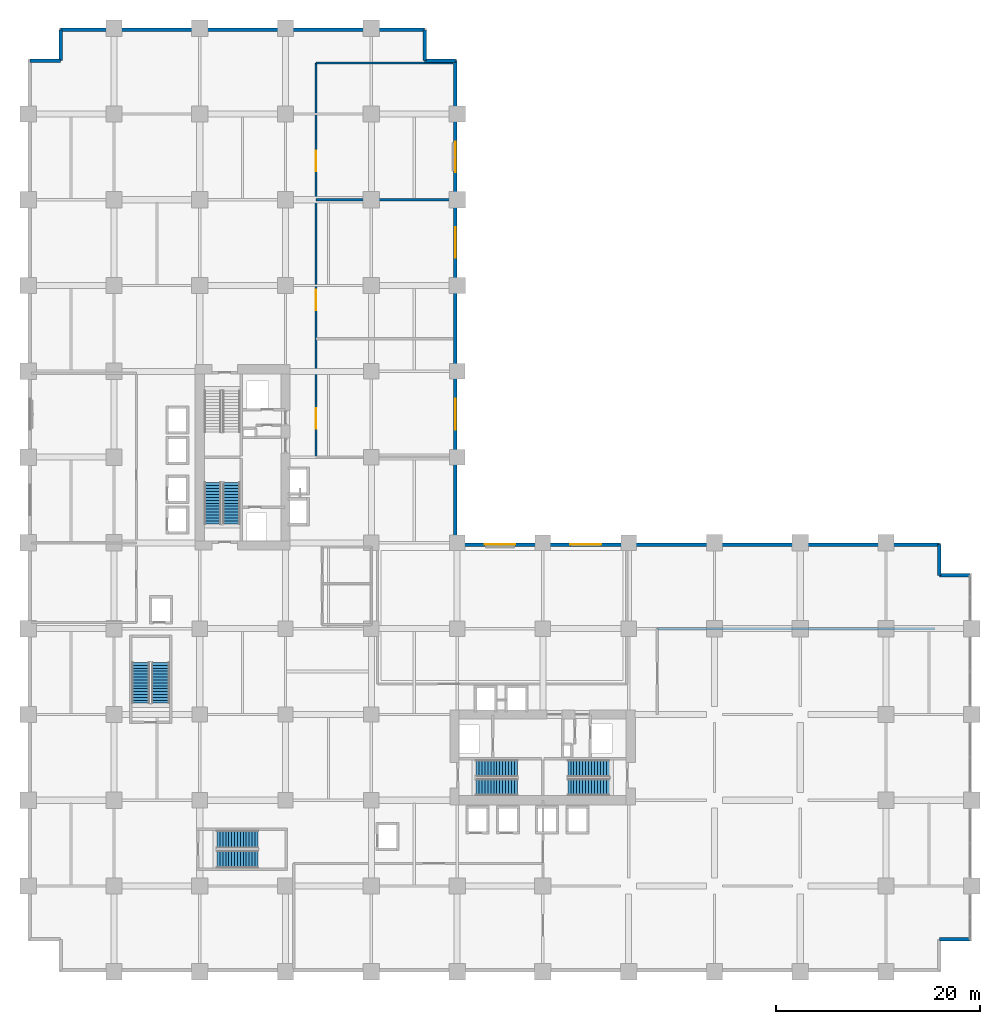
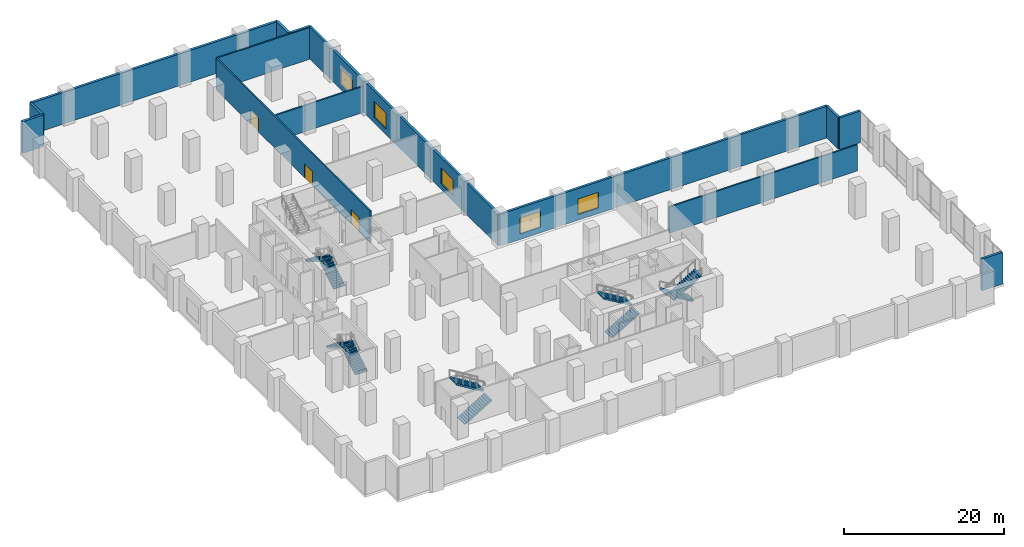
# One storey, part 14 of 19: 14 walls, 10 stair flights, 5 windows, 3 doors, 8 openings, 5 elements without a shape of their own.
"""IFC4 building model written with IfcOpenShell, lengths in metres."""

from ifc_helpers import new_model, si_unit, direction, frame, frame_2d, origin, place, context, subcontext, project, spatial, polyline, rectangle, outline, extrude, material, layer, layer_set, type_object, element, fill, aggregate, save


model = new_model("IFC4")

# Units and contexts
model_context = context("Model", 3, precision=1e-05, world=origin(), true_north=direction((0.0, 1.0)))
body_context = subcontext(model_context, "Body", "Model", "MODEL_VIEW")
ifc_project = project(units=[si_unit("LENGTHUNIT", "METRE"), si_unit("AREAUNIT", "SQUARE_METRE"), si_unit("VOLUMEUNIT", "CUBIC_METRE"), si_unit("PLANEANGLEUNIT", "RADIAN"), si_unit("MASSUNIT", "GRAM", prefix="KILO")], contexts=[model_context])

# Site, building, storey
site_placement = place(None, origin())
site = spatial("IfcSite", under=ifc_project, at=site_placement, CompositionType="ELEMENT")
building_placement = place(site_placement, origin())
building = spatial("IfcBuilding", under=site, at=building_placement, Name="Koriwani Terraces Tower", CompositionType="ELEMENT")
storey_placement = place(building_placement, frame((0.0, 0.0, 15.60009765625)))
storey = spatial("IfcBuildingStorey", under=building, at=storey_placement, Name="L03", CompositionType="ELEMENT", Elevation=15.60009765625)

# Wall, openings, doors
ifc_material_1 = material(Name="Autoclaved Cellular Concrete Blockwork", Category="masonry")
ifc_layer_1 = layer(ifc_material_1, 0.199951171875, Name="Autoclaved Cellular Concrete Blockwork")
ifc_layer_set_1 = layer_set([ifc_layer_1], Name="Autoclaved Cellular Concrete Blockwork")
wall_type_1 = type_object("IfcWallType", Name="WALL_CORRIDOR_200", PredefinedType="PARTITIONING", material=ifc_layer_set_1)
wall_1_placement = place(storey_placement, frame((28.199951171875, 50.39990234375, 0.0), z_axis=(0.0, 0.0, 1.0), x_axis=(0.0, 1.0, 0.0)))
wall_1 = element("IfcWall", 1, at=wall_1_placement, inside=storey, type_object=wall_type_1, Name="L03 Interior Wall WPOD-INW-L03-0", PredefinedType="PARTITIONING", context=body_context, shape_type="SweptSolid", body=[
    extrude(rectangle(XDim=38.60009765625, YDim=0.199951171875, at=frame_2d((19.300048828125, 0.0))), origin(), (0.0, 0.0, 1.0), 4.849853515625),
])
opening_1_placement = place(wall_1_placement, frame((2.800048828125, 0.0, 0.0)))
opening_1 = element("IfcOpeningElement", 2, at=opening_1_placement, cuts=wall_1, Name="Opening D-02", PredefinedType="OPENING", context=body_context, shape_type="SweptSolid", body=[
    extrude(rectangle(XDim=2.0, YDim=2.14990234375, at=frame_2d((1.0, 1.074951171875))), frame((0.0, 0.10986328125, 0.0), z_axis=(0.0, -1.0, 0.0), x_axis=(1.0, 0.0, 0.0)), (0.0, 0.0, 1.0), 0.219970703125),
])
opening_2_placement = place(wall_1_placement, frame((14.39990234375, 0.0, 0.0)))
opening_2 = element("IfcOpeningElement", 3, at=opening_2_placement, cuts=wall_1, Name="Opening D-02", PredefinedType="OPENING", context=body_context, shape_type="SweptSolid", body=[
    extrude(rectangle(XDim=2.0, YDim=2.14990234375, at=frame_2d((1.0, 1.074951171875))), frame((0.0, 0.10986328125, 0.0), z_axis=(0.0, -1.0, 0.0), x_axis=(1.0, 0.0, 0.0)), (0.0, 0.0, 1.0), 0.219970703125),
])
opening_3_placement = place(wall_1_placement, frame((28.0, 0.0, 0.0)))
opening_3 = element("IfcOpeningElement", 4, at=opening_3_placement, cuts=wall_1, Name="Opening D-02", PredefinedType="OPENING", context=body_context, shape_type="SweptSolid", body=[
    extrude(rectangle(XDim=2.0, YDim=2.14990234375, at=frame_2d((1.0, 1.074951171875))), frame((0.0, 0.10986328125, 0.0), z_axis=(0.0, -1.0, 0.0), x_axis=(1.0, 0.0, 0.0)), (0.0, 0.0, 1.0), 0.219970703125),
])
ifc_material_2 = material(Name="Anodised Bronze Aluminium", Category="aluminium")
door_type = type_object("IfcDoorType", Name="DOOR_ENTRANCE_DOUBLE_2000X2400", OperationType="NOTDEFINED", PredefinedType="DOOR", material=ifc_material_2)
door_1_placement = place(opening_1_placement, origin())
door_1 = element("IfcDoor", 5, at=door_1_placement, inside=storey, type_object=door_type, Name="L03 North Galleria Salon 1 Door", OperationType="SINGLE_SWING_RIGHT", OverallHeight=2.14990234375, OverallWidth=2.0, PredefinedType="DOOR", context=body_context, shape_type="SweptSolid", body=[
    extrude(rectangle(XDim=2.0, YDim=2.14990234375, at=frame_2d((1.0, 1.074951171875))), frame((0.0, 0.02490234375, 0.0), z_axis=(0.0, -1.0, 0.0), x_axis=(1.0, 0.0, 0.0)), (0.0, 0.0, 1.0), 0.050048828125),
])
fill(opening_1, door_1)
door_2_placement = place(opening_2_placement, origin())
door_2 = element("IfcDoor", 6, at=door_2_placement, inside=storey, type_object=door_type, Name="L03 North Galleria Salon 2 Door", OperationType="SINGLE_SWING_LEFT", OverallHeight=2.14990234375, OverallWidth=2.0, PredefinedType="DOOR", context=body_context, shape_type="SweptSolid", body=[
    extrude(rectangle(XDim=2.0, YDim=2.14990234375, at=frame_2d((1.0, 1.074951171875))), frame((0.0, 0.02490234375, 0.0), z_axis=(0.0, -1.0, 0.0), x_axis=(1.0, 0.0, 0.0)), (0.0, 0.0, 1.0), 0.050048828125),
])
fill(opening_2, door_2)
door_3_placement = place(opening_3_placement, origin())
door_3 = element("IfcDoor", 7, at=door_3_placement, inside=storey, type_object=door_type, Name="L03 North Galleria Salon 3 Door", OperationType="SINGLE_SWING_RIGHT", OverallHeight=2.14990234375, OverallWidth=2.0, PredefinedType="DOOR", context=body_context, shape_type="SweptSolid", body=[
    extrude(rectangle(XDim=2.0, YDim=2.14990234375, at=frame_2d((1.0, 1.074951171875))), frame((0.0, 0.02490234375, 0.0), z_axis=(0.0, -1.0, 0.0), x_axis=(1.0, 0.0, 0.0)), (0.0, 0.0, 1.0), 0.050048828125),
])
fill(opening_3, door_3)

# Walls
ifc_layer_2 = layer(ifc_material_1, 0.219970703125, Name="Autoclaved Cellular Concrete Blockwork")
ifc_layer_set_2 = layer_set([ifc_layer_2], Name="Autoclaved Cellular Concrete Blockwork")
wall_type_2 = type_object("IfcWallType", Name="WALL_DEMISING_220", PredefinedType="PARTITIONING", material=ifc_layer_set_2)
wall_2_placement = place(storey_placement, frame((61.60009765625, 33.60009765625, 0.0), z_axis=(0.0, 0.0, 1.0), x_axis=(1.0, 0.0, 0.0)))
element("IfcWall", 8, at=wall_2_placement, inside=storey, type_object=wall_type_2, Name="L03 Interior Wall WL03-BALL-N", PredefinedType="PARTITIONING", context=body_context, shape_type="SweptSolid", body=[
    extrude(rectangle(XDim=27.199951171875, YDim=0.219970703125, at=frame_2d((13.60009765625, 0.0))), origin(), (0.0, 0.0, 1.0), 4.0),
])
wall_3_placement = place(storey_placement, frame((28.199951171875, 75.60009765625, 0.0), z_axis=(0.0, 0.0, 1.0), x_axis=(1.0, 0.0, 0.0)))
element("IfcWall", 9, at=wall_3_placement, inside=storey, type_object=wall_type_2, Name="L03 Interior Wall WPOD-INWD-L03-2", PredefinedType="PARTITIONING", context=body_context, shape_type="SweptSolid", body=[
    extrude(rectangle(XDim=13.400146484375, YDim=0.219970703125, at=frame_2d((6.7001953125, 0.0))), origin(), (0.0, 0.0, 1.0), 4.0),
])
wall_4_placement = place(storey_placement, frame((28.199951171875, 89.0, 0.0), z_axis=(0.0, 0.0, 1.0), x_axis=(1.0, 0.0, 0.0)))
element("IfcWall", 10, at=wall_4_placement, inside=storey, type_object=wall_type_2, Name="L03 Interior Wall WPOD-INWDE-L03", PredefinedType="PARTITIONING", context=body_context, shape_type="SweptSolid", body=[
    extrude(rectangle(XDim=13.400146484375, YDim=0.219970703125, at=frame_2d((6.7001953125, 0.0))), origin(), (0.0, 0.0, 1.0), 4.849853515625),
])
ifc_material_3 = material(Name="Concrete C50/60", Category="concrete")
ifc_layer_3 = layer(ifc_material_3, 0.35009765625, Name="Concrete C50/60")
ifc_layer_set_3 = layer_set([ifc_layer_3], Name="Concrete C50/60")
wall_type_3 = type_object("IfcWallType", Name="WALL_EXT_BRUTALIST_350", PredefinedType="STANDARD", material=ifc_layer_set_3)
for number, where, z_axis, x_axis, name in (
    (11, (0.175048828125, 89.22509765625, 0.0), (0.0, 0.0, 1.0), (1.0, 0.0, 0.0), "L03 Fair-Faced Brutalist Exterior Wall (N3)"),
    (12, (3.175048828125, 89.22509765625, 0.0), (0.0, 0.0, 1.0), (0.0, 1.0, 0.0), "L03 Fair-Faced Brutalist Exterior Wall (N4)"),
):
    element("IfcWall", number, at=place(storey_placement, frame(where, z_axis=z_axis, x_axis=x_axis)), inside=storey, type_object=wall_type_3, Name=name, PredefinedType="STANDARD", context=body_context, shape_type="SweptSolid", body=[
        extrude(rectangle(XDim=3.0, YDim=0.35009765625, at=frame_2d((1.5, 0.0))), origin(), (0.0, 0.0, 1.0), 4.849853515625),
    ])
wall_5_placement = place(storey_placement, frame((3.175048828125, 92.22509765625, 0.0), z_axis=(0.0, 0.0, 1.0), x_axis=(1.0, 0.0, 0.0)))
element("IfcWall", 13, at=wall_5_placement, inside=storey, type_object=wall_type_3, Name="L03 Fair-Faced Brutalist Exterior Wall (N_TIP)", PredefinedType="STANDARD", context=body_context, shape_type="SweptSolid", body=[
    extrude(rectangle(XDim=35.64990234375, YDim=0.35009765625, at=frame_2d((17.824951171875, 0.0))), origin(), (0.0, 0.0, 1.0), 4.849853515625),
])
for number, where, z_axis, x_axis, name in (
    (14, (38.824951171875, 92.22509765625, 0.0), (0.0, 0.0, 1.0), (0.0, -1.0, 0.0), "L03 Fair-Faced Brutalist Exterior Wall (N6)"),
    (15, (38.824951171875, 89.22509765625, 0.0), (0.0, 0.0, 1.0), (1.0, 0.0, 0.0), "L03 Fair-Faced Brutalist Exterior Wall (N7)"),
):
    element("IfcWall", number, at=place(storey_placement, frame(where, z_axis=z_axis, x_axis=x_axis)), inside=storey, type_object=wall_type_3, Name=name, PredefinedType="STANDARD", context=body_context, shape_type="SweptSolid", body=[
        extrude(rectangle(XDim=3.0, YDim=0.35009765625, at=frame_2d((1.5, 0.0))), origin(), (0.0, 0.0, 1.0), 4.849853515625),
    ])

# Wall, openings, windows
wall_6_placement = place(storey_placement, frame((41.824951171875, 89.22509765625, 0.0), z_axis=(0.0, 0.0, 1.0), x_axis=(0.0, -1.0, 0.0)))
wall_6 = element("IfcWall", 16, at=wall_6_placement, inside=storey, type_object=wall_type_3, Name="L03 Fair-Faced Brutalist Exterior Wall (NW_IN)", PredefinedType="STANDARD", context=body_context, shape_type="SweptSolid", body=[
    extrude(rectangle(XDim=47.400146484375, YDim=0.35009765625, at=frame_2d((23.7001953125, 0.0))), origin(), (0.0, 0.0, 1.0), 4.849853515625),
])
opening_4_placement = place(wall_6_placement, frame((33.125, 0.0, 0.85009765625)))
opening_4 = element("IfcOpeningElement", 17, at=opening_4_placement, cuts=wall_6, Name="Opening W-06", PredefinedType="OPENING", context=body_context, shape_type="SweptSolid", body=[
    extrude(rectangle(XDim=3.0, YDim=2.39990234375, at=frame_2d((1.5, 1.199951171875))), frame((0.0, 0.18505859375, 0.0), z_axis=(0.0, -1.0, 0.0), x_axis=(1.0, 0.0, 0.0)), (0.0, 0.0, 1.0), 0.3701171875),
])
opening_5_placement = place(wall_6_placement, frame((16.324951171875, 0.0, 0.85009765625)))
opening_5 = element("IfcOpeningElement", 18, at=opening_5_placement, cuts=wall_6, Name="Opening W-06", PredefinedType="OPENING", context=body_context, shape_type="SweptSolid", body=[
    extrude(rectangle(XDim=3.0, YDim=2.39990234375, at=frame_2d((1.5, 1.199951171875))), frame((0.0, 0.18505859375, 0.0), z_axis=(0.0, -1.0, 0.0), x_axis=(1.0, 0.0, 0.0)), (0.0, 0.0, 1.0), 0.3701171875),
])
opening_6_placement = place(wall_6_placement, frame((7.925048828125, 0.0, 0.85009765625)))
opening_6 = element("IfcOpeningElement", 19, at=opening_6_placement, cuts=wall_6, Name="Opening W-06", PredefinedType="OPENING", context=body_context, shape_type="SweptSolid", body=[
    extrude(rectangle(XDim=3.0, YDim=2.39990234375, at=frame_2d((1.5, 1.199951171875))), frame((0.0, 0.18505859375, 0.0), z_axis=(0.0, -1.0, 0.0), x_axis=(1.0, 0.0, 0.0)), (0.0, 0.0, 1.0), 0.3701171875),
])
ifc_material_4 = material(Name="Tempered Laminated Low-E Glass", Category="glass")
window_type = type_object("IfcWindowType", Name="WIN_PODIUM_PUNCHED_3000X2400", PartitioningType="TRIPLE_PANEL_VERTICAL", PredefinedType="WINDOW", material=ifc_material_4)
window_1_placement = place(opening_4_placement, origin())
window_1 = element("IfcWindow", 20, at=window_1_placement, inside=storey, type_object=window_type, Name="L03 Exterior Window (NW_IN-5)", OverallHeight=2.39990234375, OverallWidth=3.0, PartitioningType="SINGLE_PANEL", PredefinedType="WINDOW", context=body_context, shape_type="SweptSolid", body=[
    extrude(rectangle(XDim=3.0, YDim=2.39990234375, at=frame_2d((1.5, 1.199951171875))), frame((0.0, 0.030029296875, 0.0), z_axis=(0.0, -1.0, 0.0), x_axis=(1.0, 0.0, 0.0)), (0.0, 0.0, 1.0), 0.06005859375),
])
fill(opening_4, window_1)
window_2_placement = place(opening_5_placement, origin())
window_2 = element("IfcWindow", 21, at=window_2_placement, inside=storey, type_object=window_type, Name="L03 Exterior Window (NW_IN-11)", OverallHeight=2.39990234375, OverallWidth=3.0, PartitioningType="SINGLE_PANEL", PredefinedType="WINDOW", context=body_context, shape_type="SweptSolid", body=[
    extrude(rectangle(XDim=3.0, YDim=2.39990234375, at=frame_2d((1.5, 1.199951171875))), frame((0.0, 0.030029296875, 0.0), z_axis=(0.0, -1.0, 0.0), x_axis=(1.0, 0.0, 0.0)), (0.0, 0.0, 1.0), 0.06005859375),
])
fill(opening_5, window_2)
window_3_placement = place(opening_6_placement, origin())
window_3 = element("IfcWindow", 22, at=window_3_placement, inside=storey, type_object=window_type, Name="L03 Exterior Window (NW_IN-14)", OverallHeight=2.39990234375, OverallWidth=3.0, PartitioningType="SINGLE_PANEL", PredefinedType="WINDOW", context=body_context, shape_type="SweptSolid", body=[
    extrude(rectangle(XDim=3.0, YDim=2.39990234375, at=frame_2d((1.5, 1.199951171875))), frame((0.0, 0.030029296875, 0.0), z_axis=(0.0, -1.0, 0.0), x_axis=(1.0, 0.0, 0.0)), (0.0, 0.0, 1.0), 0.06005859375),
])
fill(opening_6, window_3)

wall_7_placement = place(storey_placement, frame((41.824951171875, 41.824951171875, 0.0), z_axis=(0.0, 0.0, 1.0), x_axis=(1.0, 0.0, 0.0)))
wall_7 = element("IfcWall", 23, at=wall_7_placement, inside=storey, type_object=wall_type_3, Name="L03 Fair-Faced Brutalist Exterior Wall (NE)", PredefinedType="STANDARD", context=body_context, shape_type="SweptSolid", body=[
    extrude(rectangle(XDim=47.400146484375, YDim=0.35009765625, at=frame_2d((23.7001953125, 0.0))), origin(), (0.0, 0.0, 1.0), 4.849853515625),
])
opening_7_placement = place(wall_7_placement, frame((2.875, 0.0, 0.85009765625)))
opening_7 = element("IfcOpeningElement", 24, at=opening_7_placement, cuts=wall_7, Name="Opening W-06", PredefinedType="OPENING", context=body_context, shape_type="SweptSolid", body=[
    extrude(rectangle(XDim=3.0, YDim=2.39990234375, at=frame_2d((1.5, 1.199951171875))), frame((0.0, 0.18505859375, 0.0), z_axis=(0.0, -1.0, 0.0), x_axis=(1.0, 0.0, 0.0)), (0.0, 0.0, 1.0), 0.3701171875),
])
opening_8_placement = place(wall_7_placement, frame((11.27490234375, 0.0, 0.85009765625)))
opening_8 = element("IfcOpeningElement", 25, at=opening_8_placement, cuts=wall_7, Name="Opening W-06", PredefinedType="OPENING", context=body_context, shape_type="SweptSolid", body=[
    extrude(rectangle(XDim=3.0, YDim=2.39990234375, at=frame_2d((1.5, 1.199951171875))), frame((0.0, 0.18505859375, 0.0), z_axis=(0.0, -1.0, 0.0), x_axis=(1.0, 0.0, 0.0)), (0.0, 0.0, 1.0), 0.3701171875),
])
window_4_placement = place(opening_7_placement, origin())
window_4 = element("IfcWindow", 26, at=window_4_placement, inside=storey, type_object=window_type, Name="L03 Exterior Window (NE-2)", OverallHeight=2.39990234375, OverallWidth=3.0, PartitioningType="SINGLE_PANEL", PredefinedType="WINDOW", context=body_context, shape_type="SweptSolid", body=[
    extrude(rectangle(XDim=3.0, YDim=2.39990234375, at=frame_2d((1.5, 1.199951171875))), frame((0.0, 0.030029296875, 0.0), z_axis=(0.0, -1.0, 0.0), x_axis=(1.0, 0.0, 0.0)), (0.0, 0.0, 1.0), 0.06005859375),
])
fill(opening_7, window_4)
window_5_placement = place(opening_8_placement, origin())
window_5 = element("IfcWindow", 27, at=window_5_placement, inside=storey, type_object=window_type, Name="L03 Exterior Window (NE-5)", OverallHeight=2.39990234375, OverallWidth=3.0, PartitioningType="SINGLE_PANEL", PredefinedType="WINDOW", context=body_context, shape_type="SweptSolid", body=[
    extrude(rectangle(XDim=3.0, YDim=2.39990234375, at=frame_2d((1.5, 1.199951171875))), frame((0.0, 0.030029296875, 0.0), z_axis=(0.0, -1.0, 0.0), x_axis=(1.0, 0.0, 0.0)), (0.0, 0.0, 1.0), 0.06005859375),
])
fill(opening_8, window_5)

# Walls
for number, where, z_axis, x_axis, name in (
    (28, (89.22509765625, 41.824951171875, 0.0), (0.0, 0.0, 1.0), (0.0, -1.0, 0.0), "L03 Fair-Faced Brutalist Exterior Wall (N10)"),
    (29, (89.22509765625, 38.824951171875, 0.0), (0.0, 0.0, 1.0), (1.0, 0.0, 0.0), "L03 Fair-Faced Brutalist Exterior Wall (N11)"),
    (30, (92.22509765625, 3.175048828125, 0.0), (0.0, 0.0, 1.0), (-1.0, 0.0, 0.0), "L03 Fair-Faced Brutalist Exterior Wall (N13)"),
):
    element("IfcWall", number, at=place(storey_placement, frame(where, z_axis=z_axis, x_axis=x_axis)), inside=storey, type_object=wall_type_3, Name=name, PredefinedType="STANDARD", context=body_context, shape_type="SweptSolid", body=[
        extrude(rectangle(XDim=3.0, YDim=0.35009765625, at=frame_2d((1.5, 0.0))), origin(), (0.0, 0.0, 1.0), 4.849853515625),
    ])

# Stair, stair flights
ifc_material_5 = material(Name="Concrete C40/50", Category="concrete")
stair_type_1 = type_object("IfcStairType", Name="STAIR_PODIUM_DOGLEG_1750", PredefinedType="TWO_STRAIGHT_RUN_STAIR", material=ifc_material_5)
stair_1_placement = place(storey_placement, origin())
stair_1 = element("IfcStair", 31, at=stair_1_placement, inside=storey, type_object=stair_type_1, Name="L03 Podium West Exit Stair", PredefinedType="HALF_TURN_STAIR")
stair_flight_type_1 = type_object("IfcStairFlightType", Name="STAIR_FLIGHT_POD_1750", PredefinedType="STRAIGHT", material=ifc_material_5)
stair_flight_1_placement = place(storey_placement, frame((12.97509765625, 26.300048828125, 0.0), z_axis=(0.0, 0.0, 1.0), x_axis=(0.0, 1.0, 0.0)))
stair_flight_1 = element("IfcStairFlight", 32, at=stair_flight_1_placement, type_object=stair_flight_type_1, Name="ST-P1 flight 1", NumberOfRisers=15, NumberOfTreads=14, PredefinedType="STRAIGHT", RiserHeight=0.173333333, TreadLength=0.285, context=body_context, shape_type="SweptSolid", body=[
    extrude(outline(polyline([(0.0, 0.0), (0.0, 0.17333984375), (0.284912109375, 0.17333984375), (0.284912109375, 0.3466796875), (0.570068359375, 0.3466796875), (0.570068359375, 0.52001953125), (0.85498046875, 0.52001953125), (0.85498046875, 0.693359375), (1.139892578125, 0.693359375), (1.139892578125, 0.86669921875), (1.425048828125, 0.86669921875), (1.425048828125, 1.0400390625), (1.7099609375, 1.0400390625), (1.7099609375, 1.21337890625), (1.9951171875, 1.21337890625), (1.9951171875, 1.38671875), (2.280029296875, 1.38671875), (2.280029296875, 1.56005859375), (2.56494140625, 1.56005859375), (2.56494140625, 1.7333984375), (2.85009765625, 1.7333984375), (2.85009765625, 1.90673828125), (3.135009765625, 1.90673828125), (3.135009765625, 2.080078125), (3.419921875, 2.080078125), (3.419921875, 2.25341796875), (3.705078125, 2.25341796875), (3.705078125, 2.4267578125), (3.989990234375, 2.4267578125), (3.989990234375, 2.60009765625), (3.989990234375, 2.192626953125), (0.384765625, 0.0), (0.0, 0.0)])), frame((0.0, 0.875, 0.0), z_axis=(0.0, -1.0, 0.0), x_axis=(1.0, 0.0, 0.0)), (0.0, 0.0, 1.0), 1.75),
])
stair_flight_2_placement = place(storey_placement, frame((11.02490234375, 30.2900390625, 2.599853515625), z_axis=(0.0, 0.0, 1.0), x_axis=(0.0, -1.0, 0.0)))
stair_flight_2 = element("IfcStairFlight", 33, at=stair_flight_2_placement, type_object=stair_flight_type_1, Name="ST-P1 flight 2", NumberOfRisers=15, NumberOfTreads=14, PredefinedType="STRAIGHT", RiserHeight=0.173333333, TreadLength=0.285, context=body_context, shape_type="SweptSolid", body=[
    extrude(outline(polyline([(0.0, 0.0), (0.0, 0.17333984375), (0.284912109375, 0.17333984375), (0.284912109375, 0.3466796875), (0.570068359375, 0.3466796875), (0.570068359375, 0.52001953125), (0.85498046875, 0.52001953125), (0.85498046875, 0.693359375), (1.139892578125, 0.693359375), (1.139892578125, 0.86669921875), (1.425048828125, 0.86669921875), (1.425048828125, 1.0400390625), (1.7099609375, 1.0400390625), (1.7099609375, 1.21337890625), (1.9951171875, 1.21337890625), (1.9951171875, 1.38671875), (2.280029296875, 1.38671875), (2.280029296875, 1.56005859375), (2.56494140625, 1.56005859375), (2.56494140625, 1.7333984375), (2.85009765625, 1.7333984375), (2.85009765625, 1.90673828125), (3.135009765625, 1.90673828125), (3.135009765625, 2.080078125), (3.419921875, 2.080078125), (3.419921875, 2.25341796875), (3.705078125, 2.25341796875), (3.705078125, 2.4267578125), (3.989990234375, 2.4267578125), (3.989990234375, 2.60009765625), (3.989990234375, 2.192626953125), (0.384765625, 0.0), (0.0, 0.0)])), frame((0.0, 0.875, 0.0), z_axis=(0.0, -1.0, 0.0), x_axis=(1.0, 0.0, 0.0)), (0.0, 0.0, 1.0), 1.75),
])
aggregate(stair_1, [stair_flight_1, stair_flight_2])

stair_2_placement = place(storey_placement, origin())
stair_2 = element("IfcStair", 34, at=stair_2_placement, inside=storey, type_object=stair_type_1, Name="L03 Podium South Exit Stair", PredefinedType="HALF_TURN_STAIR")
stair_flight_3_placement = place(storey_placement, frame((18.5, 11.02490234375, 0.0), z_axis=(0.0, 0.0, 1.0), x_axis=(1.0, 0.0, 0.0)))
stair_flight_3 = element("IfcStairFlight", 35, at=stair_flight_3_placement, type_object=stair_flight_type_1, Name="ST-P2 flight 1", NumberOfRisers=15, NumberOfTreads=14, PredefinedType="STRAIGHT", RiserHeight=0.173333333, TreadLength=0.285, context=body_context, shape_type="SweptSolid", body=[
    extrude(outline(polyline([(0.0, 0.0), (0.0, 0.17333984375), (0.284912109375, 0.17333984375), (0.284912109375, 0.3466796875), (0.570068359375, 0.3466796875), (0.570068359375, 0.52001953125), (0.85498046875, 0.52001953125), (0.85498046875, 0.693359375), (1.139892578125, 0.693359375), (1.139892578125, 0.86669921875), (1.425048828125, 0.86669921875), (1.425048828125, 1.0400390625), (1.7099609375, 1.0400390625), (1.7099609375, 1.21337890625), (1.9951171875, 1.21337890625), (1.9951171875, 1.38671875), (2.280029296875, 1.38671875), (2.280029296875, 1.56005859375), (2.56494140625, 1.56005859375), (2.56494140625, 1.7333984375), (2.85009765625, 1.7333984375), (2.85009765625, 1.90673828125), (3.135009765625, 1.90673828125), (3.135009765625, 2.080078125), (3.419921875, 2.080078125), (3.419921875, 2.25341796875), (3.705078125, 2.25341796875), (3.705078125, 2.4267578125), (3.989990234375, 2.4267578125), (3.989990234375, 2.60009765625), (3.989990234375, 2.192626953125), (0.384765625, 0.0), (0.0, 0.0)])), frame((0.0, 0.875, 0.0), z_axis=(0.0, -1.0, 0.0), x_axis=(1.0, 0.0, 0.0)), (0.0, 0.0, 1.0), 1.75),
])
stair_flight_4_placement = place(storey_placement, frame((22.489990234375, 12.97509765625, 2.599853515625), z_axis=(0.0, 0.0, 1.0), x_axis=(-1.0, 0.0, 0.0)))
stair_flight_4 = element("IfcStairFlight", 36, at=stair_flight_4_placement, type_object=stair_flight_type_1, Name="ST-P2 flight 2", NumberOfRisers=15, NumberOfTreads=14, PredefinedType="STRAIGHT", RiserHeight=0.173333333, TreadLength=0.285, context=body_context, shape_type="SweptSolid", body=[
    extrude(outline(polyline([(0.0, 0.0), (0.0, 0.17333984375), (0.284912109375, 0.17333984375), (0.284912109375, 0.3466796875), (0.570068359375, 0.3466796875), (0.570068359375, 0.52001953125), (0.85498046875, 0.52001953125), (0.85498046875, 0.693359375), (1.139892578125, 0.693359375), (1.139892578125, 0.86669921875), (1.425048828125, 0.86669921875), (1.425048828125, 1.0400390625), (1.7099609375, 1.0400390625), (1.7099609375, 1.21337890625), (1.9951171875, 1.21337890625), (1.9951171875, 1.38671875), (2.280029296875, 1.38671875), (2.280029296875, 1.56005859375), (2.56494140625, 1.56005859375), (2.56494140625, 1.7333984375), (2.85009765625, 1.7333984375), (2.85009765625, 1.90673828125), (3.135009765625, 1.90673828125), (3.135009765625, 2.080078125), (3.419921875, 2.080078125), (3.419921875, 2.25341796875), (3.705078125, 2.25341796875), (3.705078125, 2.4267578125), (3.989990234375, 2.4267578125), (3.989990234375, 2.60009765625), (3.989990234375, 2.192626953125), (0.384765625, 0.0), (0.0, 0.0)])), frame((0.0, 0.875, 0.0), z_axis=(0.0, -1.0, 0.0), x_axis=(1.0, 0.0, 0.0)), (0.0, 0.0, 1.0), 1.75),
])
aggregate(stair_2, [stair_flight_3, stair_flight_4])

stair_type_2 = type_object("IfcStairType", Name="STAIR_CORE_DOGLEG_1650", PredefinedType="TWO_STRAIGHT_RUN_STAIR", material=ifc_material_5)
stair_3_placement = place(storey_placement, origin())
stair_3 = element("IfcStair", 37, at=stair_3_placement, inside=storey, type_object=stair_type_2, Name="L03 West Core Exit Stair 1", PredefinedType="HALF_TURN_STAIR")
stair_flight_type_2 = type_object("IfcStairFlightType", Name="STAIR_FLIGHT_RC_1650", PredefinedType="STRAIGHT", material=ifc_material_5)
stair_flight_5_placement = place(storey_placement, frame((19.925048828125, 43.85009765625, 0.0), z_axis=(0.0, 0.0, 1.0), x_axis=(0.0, 1.0, 0.0)))
stair_flight_5 = element("IfcStairFlight", 38, at=stair_flight_5_placement, type_object=stair_flight_type_2, Name="ST-W1 flight 1", NumberOfRisers=15, NumberOfTreads=14, PredefinedType="STRAIGHT", RiserHeight=0.173333333, TreadLength=0.29, context=body_context, shape_type="SweptSolid", body=[
    extrude(outline(polyline([(0.0, 0.0), (0.0, 0.17333984375), (0.2900390625, 0.17333984375), (0.2900390625, 0.3466796875), (0.580078125, 0.3466796875), (0.580078125, 0.52001953125), (0.8701171875, 0.52001953125), (0.8701171875, 0.693359375), (1.159912109375, 0.693359375), (1.159912109375, 0.86669921875), (1.449951171875, 0.86669921875), (1.449951171875, 1.0400390625), (1.739990234375, 1.0400390625), (1.739990234375, 1.21337890625), (2.030029296875, 1.21337890625), (2.030029296875, 1.38671875), (2.320068359375, 1.38671875), (2.320068359375, 1.56005859375), (2.610107421875, 1.56005859375), (2.610107421875, 1.7333984375), (2.89990234375, 1.7333984375), (2.89990234375, 1.90673828125), (3.18994140625, 1.90673828125), (3.18994140625, 2.080078125), (3.47998046875, 2.080078125), (3.47998046875, 2.25341796875), (3.77001953125, 2.25341796875), (3.77001953125, 2.4267578125), (4.06005859375, 2.4267578125), (4.06005859375, 2.60009765625), (4.06005859375, 2.217041015625), (0.350830078125, 0.0), (0.0, 0.0)])), frame((0.0, 0.824951171875, 0.0), z_axis=(0.0, -1.0, 0.0), x_axis=(1.0, 0.0, 0.0)), (0.0, 0.0, 1.0), 1.64990234375),
])
stair_flight_6_placement = place(storey_placement, frame((18.074951171875, 47.909912109375, 2.599853515625), z_axis=(0.0, 0.0, 1.0), x_axis=(0.0, -1.0, 0.0)))
stair_flight_6 = element("IfcStairFlight", 39, at=stair_flight_6_placement, type_object=stair_flight_type_2, Name="ST-W1 flight 2", NumberOfRisers=15, NumberOfTreads=14, PredefinedType="STRAIGHT", RiserHeight=0.173333333, TreadLength=0.29, context=body_context, shape_type="SweptSolid", body=[
    extrude(outline(polyline([(0.0, 0.0), (0.0, 0.17333984375), (0.2900390625, 0.17333984375), (0.2900390625, 0.3466796875), (0.580078125, 0.3466796875), (0.580078125, 0.52001953125), (0.8701171875, 0.52001953125), (0.8701171875, 0.693359375), (1.159912109375, 0.693359375), (1.159912109375, 0.86669921875), (1.449951171875, 0.86669921875), (1.449951171875, 1.0400390625), (1.739990234375, 1.0400390625), (1.739990234375, 1.21337890625), (2.030029296875, 1.21337890625), (2.030029296875, 1.38671875), (2.320068359375, 1.38671875), (2.320068359375, 1.56005859375), (2.610107421875, 1.56005859375), (2.610107421875, 1.7333984375), (2.89990234375, 1.7333984375), (2.89990234375, 1.90673828125), (3.18994140625, 1.90673828125), (3.18994140625, 2.080078125), (3.47998046875, 2.080078125), (3.47998046875, 2.25341796875), (3.77001953125, 2.25341796875), (3.77001953125, 2.4267578125), (4.06005859375, 2.4267578125), (4.06005859375, 2.60009765625), (4.06005859375, 2.217041015625), (0.350830078125, 0.0), (0.0, 0.0)])), frame((0.0, 0.824951171875, 0.0), z_axis=(0.0, -1.0, 0.0), x_axis=(1.0, 0.0, 0.0)), (0.0, 0.0, 1.0), 1.64990234375),
])
aggregate(stair_3, [stair_flight_5, stair_flight_6])

stair_4_placement = place(storey_placement, origin())
stair_4 = element("IfcStair", 40, at=stair_4_placement, inside=storey, type_object=stair_type_2, Name="L03 East Core Exit Stair 1", PredefinedType="HALF_TURN_STAIR")
stair_flight_7_placement = place(storey_placement, frame((43.85009765625, 18.074951171875, 0.0), z_axis=(0.0, 0.0, 1.0), x_axis=(1.0, 0.0, 0.0)))
stair_flight_7 = element("IfcStairFlight", 41, at=stair_flight_7_placement, type_object=stair_flight_type_2, Name="ST-E1 flight 1", NumberOfRisers=15, NumberOfTreads=14, PredefinedType="STRAIGHT", RiserHeight=0.173333333, TreadLength=0.29, context=body_context, shape_type="SweptSolid", body=[
    extrude(outline(polyline([(0.0, 0.0), (0.0, 0.17333984375), (0.2900390625, 0.17333984375), (0.2900390625, 0.3466796875), (0.580078125, 0.3466796875), (0.580078125, 0.52001953125), (0.8701171875, 0.52001953125), (0.8701171875, 0.693359375), (1.159912109375, 0.693359375), (1.159912109375, 0.86669921875), (1.449951171875, 0.86669921875), (1.449951171875, 1.0400390625), (1.739990234375, 1.0400390625), (1.739990234375, 1.21337890625), (2.030029296875, 1.21337890625), (2.030029296875, 1.38671875), (2.320068359375, 1.38671875), (2.320068359375, 1.56005859375), (2.610107421875, 1.56005859375), (2.610107421875, 1.7333984375), (2.89990234375, 1.7333984375), (2.89990234375, 1.90673828125), (3.18994140625, 1.90673828125), (3.18994140625, 2.080078125), (3.47998046875, 2.080078125), (3.47998046875, 2.25341796875), (3.77001953125, 2.25341796875), (3.77001953125, 2.4267578125), (4.06005859375, 2.4267578125), (4.06005859375, 2.60009765625), (4.06005859375, 2.217041015625), (0.350830078125, 0.0), (0.0, 0.0)])), frame((0.0, 0.824951171875, 0.0), z_axis=(0.0, -1.0, 0.0), x_axis=(1.0, 0.0, 0.0)), (0.0, 0.0, 1.0), 1.64990234375),
])
stair_flight_8_placement = place(storey_placement, frame((47.909912109375, 19.925048828125, 2.599853515625), z_axis=(0.0, 0.0, 1.0), x_axis=(-1.0, 0.0, 0.0)))
stair_flight_8 = element("IfcStairFlight", 42, at=stair_flight_8_placement, type_object=stair_flight_type_2, Name="ST-E1 flight 2", NumberOfRisers=15, NumberOfTreads=14, PredefinedType="STRAIGHT", RiserHeight=0.173333333, TreadLength=0.29, context=body_context, shape_type="SweptSolid", body=[
    extrude(outline(polyline([(0.0, 0.0), (0.0, 0.17333984375), (0.2900390625, 0.17333984375), (0.2900390625, 0.3466796875), (0.580078125, 0.3466796875), (0.580078125, 0.52001953125), (0.8701171875, 0.52001953125), (0.8701171875, 0.693359375), (1.159912109375, 0.693359375), (1.159912109375, 0.86669921875), (1.449951171875, 0.86669921875), (1.449951171875, 1.0400390625), (1.739990234375, 1.0400390625), (1.739990234375, 1.21337890625), (2.030029296875, 1.21337890625), (2.030029296875, 1.38671875), (2.320068359375, 1.38671875), (2.320068359375, 1.56005859375), (2.610107421875, 1.56005859375), (2.610107421875, 1.7333984375), (2.89990234375, 1.7333984375), (2.89990234375, 1.90673828125), (3.18994140625, 1.90673828125), (3.18994140625, 2.080078125), (3.47998046875, 2.080078125), (3.47998046875, 2.25341796875), (3.77001953125, 2.25341796875), (3.77001953125, 2.4267578125), (4.06005859375, 2.4267578125), (4.06005859375, 2.60009765625), (4.06005859375, 2.217041015625), (0.350830078125, 0.0), (0.0, 0.0)])), frame((0.0, 0.824951171875, 0.0), z_axis=(0.0, -1.0, 0.0), x_axis=(1.0, 0.0, 0.0)), (0.0, 0.0, 1.0), 1.64990234375),
])
aggregate(stair_4, [stair_flight_7, stair_flight_8])

stair_5_placement = place(storey_placement, origin())
stair_5 = element("IfcStair", 43, at=stair_5_placement, inside=storey, type_object=stair_type_2, Name="L03 East Core Exit Stair 2", PredefinedType="HALF_TURN_STAIR")
stair_flight_9_placement = place(storey_placement, frame((56.89990234375, 19.925048828125, 0.0), z_axis=(0.0, 0.0, 1.0), x_axis=(-1.0, 0.0, 0.0)))
stair_flight_9 = element("IfcStairFlight", 44, at=stair_flight_9_placement, type_object=stair_flight_type_2, Name="ST-E2 flight 1", NumberOfRisers=15, NumberOfTreads=14, PredefinedType="STRAIGHT", RiserHeight=0.173333333, TreadLength=0.29, context=body_context, shape_type="SweptSolid", body=[
    extrude(outline(polyline([(0.0, 0.0), (0.0, 0.17333984375), (0.2900390625, 0.17333984375), (0.2900390625, 0.3466796875), (0.580078125, 0.3466796875), (0.580078125, 0.52001953125), (0.8701171875, 0.52001953125), (0.8701171875, 0.693359375), (1.159912109375, 0.693359375), (1.159912109375, 0.86669921875), (1.449951171875, 0.86669921875), (1.449951171875, 1.0400390625), (1.739990234375, 1.0400390625), (1.739990234375, 1.21337890625), (2.030029296875, 1.21337890625), (2.030029296875, 1.38671875), (2.320068359375, 1.38671875), (2.320068359375, 1.56005859375), (2.610107421875, 1.56005859375), (2.610107421875, 1.7333984375), (2.89990234375, 1.7333984375), (2.89990234375, 1.90673828125), (3.18994140625, 1.90673828125), (3.18994140625, 2.080078125), (3.47998046875, 2.080078125), (3.47998046875, 2.25341796875), (3.77001953125, 2.25341796875), (3.77001953125, 2.4267578125), (4.06005859375, 2.4267578125), (4.06005859375, 2.60009765625), (4.06005859375, 2.217041015625), (0.350830078125, 0.0), (0.0, 0.0)])), frame((0.0, 0.824951171875, 0.0), z_axis=(0.0, -1.0, 0.0), x_axis=(1.0, 0.0, 0.0)), (0.0, 0.0, 1.0), 1.64990234375),
])
stair_flight_10_placement = place(storey_placement, frame((52.840087890625, 18.074951171875, 2.599853515625), z_axis=(0.0, 0.0, 1.0), x_axis=(1.0, 0.0, 0.0)))
stair_flight_10 = element("IfcStairFlight", 45, at=stair_flight_10_placement, type_object=stair_flight_type_2, Name="ST-E2 flight 2", NumberOfRisers=15, NumberOfTreads=14, PredefinedType="STRAIGHT", RiserHeight=0.173333333, TreadLength=0.29, context=body_context, shape_type="SweptSolid", body=[
    extrude(outline(polyline([(0.0, 0.0), (0.0, 0.17333984375), (0.2900390625, 0.17333984375), (0.2900390625, 0.3466796875), (0.580078125, 0.3466796875), (0.580078125, 0.52001953125), (0.8701171875, 0.52001953125), (0.8701171875, 0.693359375), (1.159912109375, 0.693359375), (1.159912109375, 0.86669921875), (1.449951171875, 0.86669921875), (1.449951171875, 1.0400390625), (1.739990234375, 1.0400390625), (1.739990234375, 1.21337890625), (2.030029296875, 1.21337890625), (2.030029296875, 1.38671875), (2.320068359375, 1.38671875), (2.320068359375, 1.56005859375), (2.610107421875, 1.56005859375), (2.610107421875, 1.7333984375), (2.89990234375, 1.7333984375), (2.89990234375, 1.90673828125), (3.18994140625, 1.90673828125), (3.18994140625, 2.080078125), (3.47998046875, 2.080078125), (3.47998046875, 2.25341796875), (3.77001953125, 2.25341796875), (3.77001953125, 2.4267578125), (4.06005859375, 2.4267578125), (4.06005859375, 2.60009765625), (4.06005859375, 2.217041015625), (0.350830078125, 0.0), (0.0, 0.0)])), frame((0.0, 0.824951171875, 0.0), z_axis=(0.0, -1.0, 0.0), x_axis=(1.0, 0.0, 0.0)), (0.0, 0.0, 1.0), 1.64990234375),
])
aggregate(stair_5, [stair_flight_9, stair_flight_10])

save(model, "model.ifc")
